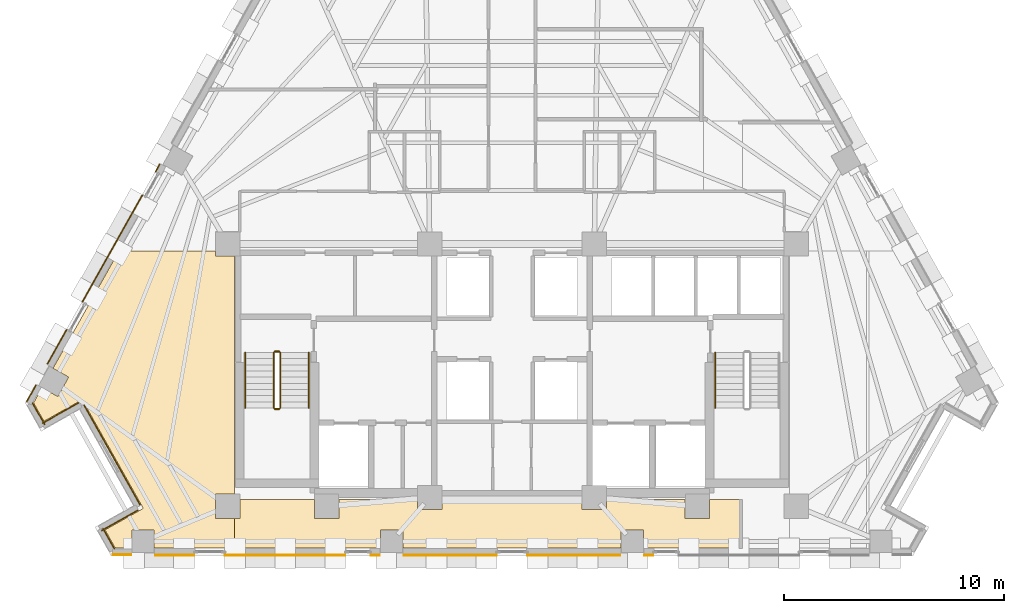
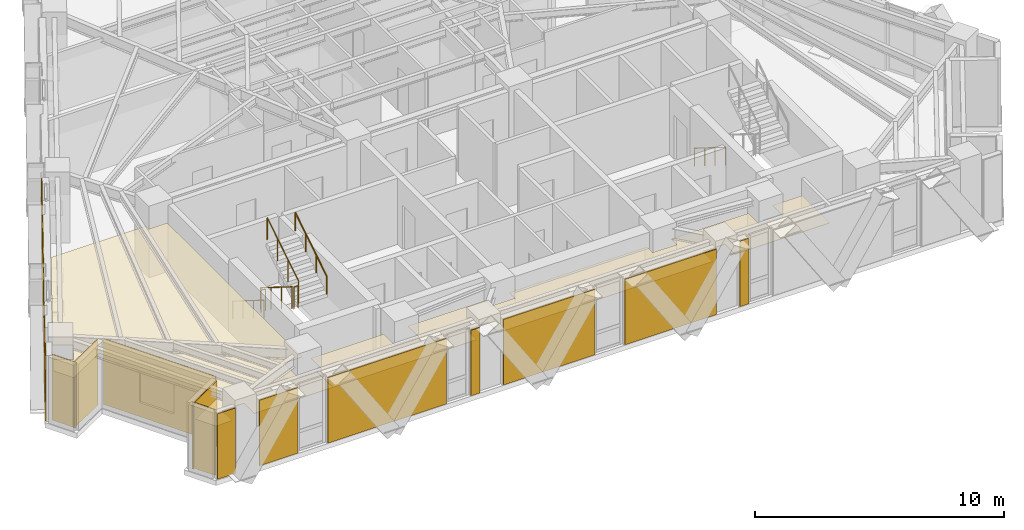
# One storey, part 11 of 14: 18 coverings, 7 railings.
"""IFC4 building model written with IfcOpenShell, lengths in metres."""

from ifc_helpers import new_model, si_unit, direction, frame, origin, origin_2d, place, context, subcontext, project, spatial, polyline, circle, outline, extrude, material, layer, layer_set, type_object, element, save


model = new_model("IFC4")

# Units and contexts
model_context = context("Model", 3, precision=1e-05, world=origin(), true_north=direction((0.0, 1.0)))
body_context = subcontext(model_context, "Body", "Model", "MODEL_VIEW")
ifc_project = project(units=[si_unit("LENGTHUNIT", "METRE"), si_unit("AREAUNIT", "SQUARE_METRE"), si_unit("VOLUMEUNIT", "CUBIC_METRE"), si_unit("PLANEANGLEUNIT", "RADIAN"), si_unit("MASSUNIT", "GRAM", prefix="KILO")], contexts=[model_context])

# Site, building, storey
site_placement = place(None, origin())
site = spatial("IfcSite", under=ifc_project, at=site_placement, CompositionType="ELEMENT")
building_placement = place(site_placement, origin())
building = spatial("IfcBuilding", under=site, at=building_placement, Name="Quenlor Broadcast Tower", CompositionType="ELEMENT")
storey_placement = place(building_placement, frame((0.0, 0.0, 140.5)))
storey = spatial("IfcBuildingStorey", under=building, at=storey_placement, Name="L38", CompositionType="ELEMENT", Elevation=140.5)

# Coverings
ifc_material_1 = material(Name="Acoustic Mineral Fibre Board", Category="other")
ifc_layer_1 = layer(ifc_material_1, 0.02490234375)
ifc_layer_set_1 = layer_set([ifc_layer_1], Name="Acoustic Perforated Mineral Tile Ceiling 25")
covering_type_1 = type_object("IfcCoveringType", Name="Acoustic Perforated Mineral Tile Ceiling 25", PredefinedType="CEILING", material=ifc_layer_set_1)
covering_1_placement = place(storey_placement, frame((0.0, 0.0, 2.375)))
element("IfcCovering", 1, at=covering_1_placement, inside=storey, type_object=covering_type_1, Name="L38 Acoustic Ceiling L38-38-2", PredefinedType="CEILING", context=body_context, shape_type="SweptSolid", body=[
    extrude(outline(polyline([(-21.794921875, -12.0400390625), (-21.406982421875, -11.350341796875), (-20.694091796875, -11.751220703125), (-20.19580078125, -10.86572265625), (-20.90869140625, -10.46484375), (-17.90234375, -5.1201171875), (-13.508056640625, -5.1201171875), (-13.508056640625, -5.35791015625), (-12.64990234375, -5.35791015625), (-12.64990234375, -16.19189453125), (-13.508056640625, -16.19189453125), (-13.508056640625, -17.30810546875), (-12.64990234375, -17.30810546875), (-12.64990234375, -18.659912109375), (-16.30029296875, -18.659912109375), (-16.30029296875, -17.842041015625), (-17.31640625, -17.842041015625), (-17.31640625, -18.659912109375), (-18.071044921875, -18.659912109375), (-18.538818359375, -17.82861328125), (-16.795654296875, -16.847900390625), (-19.580322265625, -11.8974609375), (-21.323486328125, -12.878173828125), (-21.794921875, -12.0400390625)])), origin(), (0.0, 0.0, 1.0), 0.02490234375),
])
covering_2_placement = place(storey_placement, frame((0.0, 0.0, 2.375)))
element("IfcCovering", 2, at=covering_2_placement, inside=storey, type_object=covering_type_1, Name="L38 Acoustic Ceiling L38-38-3", PredefinedType="CEILING", context=body_context, shape_type="SweptSolid", body=[
    extrude(outline(polyline([(-12.39208984375, -17.30810546875), (-12.39208984375, -16.449951171875), (-9.008056640625, -16.449951171875), (-9.008056640625, -17.30810546875), (-7.89208984375, -17.30810546875), (-7.89208984375, -16.449951171875), (-4.30810546875, -16.449951171875), (-4.30810546875, -16.907958984375), (-3.19189453125, -16.907958984375), (-3.19189453125, -16.449951171875), (3.19189453125, -16.449951171875), (3.19189453125, -16.907958984375), (4.30810546875, -16.907958984375), (4.30810546875, -16.449951171875), (7.89208984375, -16.449951171875), (7.89208984375, -17.30810546875), (9.008056640625, -17.30810546875), (9.008056640625, -16.449951171875), (10.38525390625, -16.449951171875), (10.38525390625, -18.659912109375), (5.989013671875, -18.659912109375), (5.989013671875, -17.842041015625), (4.972900390625, -17.842041015625), (4.972900390625, -18.659912109375), (-4.972900390625, -18.659912109375), (-4.972900390625, -17.842041015625), (-5.989013671875, -17.842041015625), (-5.989013671875, -18.659912109375), (-12.64990234375, -18.659912109375), (-12.64990234375, -17.30810546875), (-12.39208984375, -17.30810546875)])), origin(), (0.0, 0.0, 1.0), 0.02490234375),
])
ifc_material_2 = material(Name="Architectural Terracotta Ceramic", Category="masonry")
ifc_layer_2 = layer(ifc_material_2, 0.044921875)
ifc_layer_set_2 = layer_set([ifc_layer_2], Name="Fluted Terracotta Rainscreen Cladding Panel")
covering_type_2 = type_object("IfcCoveringType", Name="Fluted Terracotta Rainscreen Cladding Panel", PredefinedType="CLADDING", material=ifc_layer_set_2)
covering_3_placement = place(storey_placement, frame((0.0, 0.0, 0.02001953125)))
element("IfcCovering", 3, at=covering_3_placement, inside=storey, type_object=covering_type_2, Name="L38 Terracotta Rainscreen Cladding L38-SHD-SS1", PredefinedType="CLADDING", context=body_context, shape_type="SweptSolid", body=[
    extrude(outline(polyline([(-17.343505859375, -18.93701171875), (-18.179931640625, -18.93701171875), (-18.179931640625, -18.98193359375), (-17.343505859375, -18.98193359375), (-17.343505859375, -18.93701171875)])), origin(), (0.0, 0.0, 1.0), 3.2099609375),
])
covering_4_placement = place(storey_placement, frame((0.0, 0.0, 0.02001953125)))
element("IfcCovering", 4, at=covering_4_placement, inside=storey, type_object=covering_type_2, Name="L38 Terracotta Rainscreen Cladding L38-SA-SP3", PredefinedType="CLADDING", context=body_context, shape_type="SweptSolid", body=[
    extrude(outline(polyline([(6.43603515625, -18.95703125), (6.035888671875, -18.95703125), (6.035888671875, -19.001953125), (6.43603515625, -19.001953125), (6.43603515625, -18.95703125)])), origin(), (0.0, 0.0, 1.0), 3.2099609375),
])
covering_5_placement = place(storey_placement, frame((0.0, 0.0, 0.02001953125)))
element("IfcCovering", 5, at=covering_5_placement, inside=storey, type_object=covering_type_2, Name="L38 Terracotta Rainscreen Cladding L38-SC-SP1", PredefinedType="CLADDING", context=body_context, shape_type="SweptSolid", body=[
    extrude(outline(polyline([(-6.035888671875, -18.95703125), (-6.43603515625, -18.95703125), (-6.43603515625, -19.001953125), (-6.035888671875, -19.001953125), (-6.035888671875, -18.95703125)])), origin(), (0.0, 0.0, 1.0), 3.2099609375),
])
covering_6_placement = place(storey_placement, frame((0.0, 0.0, 0.02001953125)))
element("IfcCovering", 6, at=covering_6_placement, inside=storey, type_object=covering_type_2, Name="L38 Terracotta Rainscreen Cladding L38-SC-SP2", PredefinedType="CLADDING", context=body_context, shape_type="SweptSolid", body=[
    extrude(outline(polyline([(-7.5869140625, -18.95703125), (-13.076904296875, -18.95703125), (-13.076904296875, -19.001953125), (-7.5869140625, -19.001953125), (-7.5869140625, -18.95703125)])), origin(), (0.0, 0.0, 1.0), 3.2099609375),
])
covering_7_placement = place(storey_placement, frame((0.0, 0.0, 0.02001953125)))
element("IfcCovering", 7, at=covering_7_placement, inside=storey, type_object=covering_type_2, Name="L38 Terracotta Rainscreen Cladding L38-SC-SP3", PredefinedType="CLADDING", context=body_context, shape_type="SweptSolid", body=[
    extrude(outline(polyline([(-14.47509765625, -18.95703125), (-16.25341796875, -18.95703125), (-16.25341796875, -19.001953125), (-14.47509765625, -19.001953125), (-14.47509765625, -18.95703125)])), origin(), (0.0, 0.0, 1.0), 3.2099609375),
])
covering_8_placement = place(storey_placement, frame((0.0, 0.0, 0.02001953125)))
element("IfcCovering", 8, at=covering_8_placement, inside=storey, type_object=covering_type_2, Name="L38 Terracotta Rainscreen Cladding L38-S-SP1", PredefinedType="CLADDING", context=body_context, shape_type="SweptSolid", body=[
    extrude(outline(polyline([(4.930908203125, -18.95703125), (0.698974609375, -18.95703125), (0.698974609375, -19.001953125), (4.930908203125, -19.001953125), (4.930908203125, -18.95703125)])), origin(), (0.0, 0.0, 1.0), 3.2099609375),
])
covering_9_placement = place(storey_placement, frame((0.0, 0.0, 0.02001953125)))
element("IfcCovering", 9, at=covering_9_placement, inside=storey, type_object=covering_type_2, Name="L38 Terracotta Rainscreen Cladding L38-S-SP2", PredefinedType="CLADDING", context=body_context, shape_type="SweptSolid", body=[
    extrude(outline(polyline([(-0.698974609375, -18.95703125), (-4.930908203125, -18.95703125), (-4.930908203125, -19.001953125), (-0.698974609375, -19.001953125), (-0.698974609375, -18.95703125)])), origin(), (0.0, 0.0, 1.0), 3.2099609375),
])
covering_10_placement = place(storey_placement, frame((0.0, 0.0, 0.02001953125)))
element("IfcCovering", 10, at=covering_10_placement, inside=storey, type_object=covering_type_2, Name="L38 Terracotta Rainscreen Cladding L38-SHD-NWS0", PredefinedType="CLADDING", context=body_context, shape_type="SweptSolid", body=[
    extrude(outline(polyline([(-22.0859375, -11.992431640625), (-21.66162109375, -11.23779296875), (-21.70068359375, -11.2158203125), (-22.125244140625, -11.970458984375), (-22.0859375, -11.992431640625)])), origin(), (0.0, 0.0, 1.0), 3.2099609375),
])
covering_11_placement = place(storey_placement, frame((0.0, 0.0, 0.02001953125)))
element("IfcCovering", 11, at=covering_11_placement, inside=storey, type_object=covering_type_2, Name="L38 Terracotta Rainscreen Cladding L38-NWA-SP1", PredefinedType="CLADDING", context=body_context, shape_type="SweptSolid", body=[
    extrude(outline(polyline([(-21.14453125, -10.278076171875), (-20.26416015625, -8.712646484375), (-20.30322265625, -8.690673828125), (-21.183837890625, -10.256103515625), (-21.14453125, -10.278076171875)])), origin(), (0.0, 0.0, 1.0), 3.2099609375),
])
covering_12_placement = place(storey_placement, frame((0.0, 0.0, 0.02001953125)))
element("IfcCovering", 12, at=covering_12_placement, inside=storey, type_object=covering_type_2, Name="L38 Terracotta Rainscreen Cladding L38-NWA-SP2", PredefinedType="CLADDING", context=body_context, shape_type="SweptSolid", body=[
    extrude(outline(polyline([(-19.55322265625, -7.44921875), (-16.81591796875, -2.582763671875), (-16.855224609375, -2.560791015625), (-19.592529296875, -7.42724609375), (-19.55322265625, -7.44921875)])), origin(), (0.0, 0.0, 1.0), 3.2099609375),
])
covering_13_placement = place(storey_placement, frame((0.0, 0.0, 0.02001953125)))
element("IfcCovering", 13, at=covering_13_placement, inside=storey, type_object=covering_type_2, Name="L38 Terracotta Rainscreen Cladding L38-NWA-SP3", PredefinedType="CLADDING", context=body_context, shape_type="SweptSolid", body=[
    extrude(outline(polyline([(-16.22119140625, -1.525390625), (-16.025146484375, -1.1767578125), (-16.064453125, -1.15478515625), (-16.260498046875, -1.50341796875), (-16.22119140625, -1.525390625)])), origin(), (0.0, 0.0, 1.0), 3.2099609375),
])
covering_14_placement = place(storey_placement, frame((0.0, 0.0, 0.02001953125)))
element("IfcCovering", 14, at=covering_14_placement, inside=storey, type_object=covering_type_2, Name="L38 Terracotta Rainscreen Cladding L38-CNR-12", PredefinedType="CLADDING", context=body_context, shape_type="SweptSolid", body=[
    extrude(outline(polyline([(-21.864501953125, -12.0546875), (-21.309326171875, -13.0419921875), (-21.27001953125, -13.02001953125), (-21.825439453125, -12.03271484375), (-21.864501953125, -12.0546875)])), origin(), (0.0, 0.0, 1.0), 3.2099609375),
])
covering_15_placement = place(storey_placement, frame((0.0, 0.0, 0.02001953125)))
element("IfcCovering", 15, at=covering_15_placement, inside=storey, type_object=covering_type_2, Name="L38 Terracotta Rainscreen Cladding L38-CNR-13", PredefinedType="CLADDING", context=body_context, shape_type="SweptSolid", body=[
    extrude(outline(polyline([(-21.385986328125, -12.9912109375), (-19.72998046875, -12.059814453125), (-19.752197265625, -12.0205078125), (-21.408203125, -12.9521484375), (-21.385986328125, -12.9912109375)])), origin(), (0.0, 0.0, 1.0), 3.2099609375),
])
covering_16_placement = place(storey_placement, frame((0.0, 0.0, 0.02001953125)))
element("IfcCovering", 16, at=covering_16_placement, inside=storey, type_object=covering_type_2, Name="L38 Terracotta Rainscreen Cladding L38-CNR-14", PredefinedType="CLADDING", context=body_context, shape_type="SweptSolid", body=[
    extrude(outline(polyline([(-19.51708984375, -12.148681640625), (-16.9580078125, -16.6982421875), (-16.918701171875, -16.67626953125), (-19.477783203125, -12.126708984375), (-19.51708984375, -12.148681640625)])), origin(), (0.0, 0.0, 1.0), 3.2099609375),
])
covering_17_placement = place(storey_placement, frame((0.0, 0.0, 0.02001953125)))
element("IfcCovering", 17, at=covering_17_placement, inside=storey, type_object=covering_type_2, Name="L38 Terracotta Rainscreen Cladding L38-CNR-15", PredefinedType="CLADDING", context=body_context, shape_type="SweptSolid", body=[
    extrude(outline(polyline([(-17.046875, -16.911376953125), (-18.702880859375, -17.8427734375), (-18.680908203125, -17.882080078125), (-17.02490234375, -16.950439453125), (-17.046875, -16.911376953125)])), origin(), (0.0, 0.0, 1.0), 3.2099609375),
])
covering_18_placement = place(storey_placement, frame((0.0, 0.0, 0.02001953125)))
element("IfcCovering", 18, at=covering_18_placement, inside=storey, type_object=covering_type_2, Name="L38 Terracotta Rainscreen Cladding L38-CNR-16", PredefinedType="CLADDING", context=body_context, shape_type="SweptSolid", body=[
    extrude(outline(polyline([(-18.652099609375, -17.76611328125), (-18.127685546875, -18.697998046875), (-18.088623046875, -18.67578125), (-18.61279296875, -17.743896484375), (-18.652099609375, -17.76611328125)])), origin(), (0.0, 0.0, 1.0), 3.2099609375),
])

# Railings
ifc_material_3 = material(Name="Anodised Aluminium", Category="aluminium")
railing_type_1 = type_object("IfcRailingType", Name="Stainless Aluminium Wall Handrail 900", PredefinedType="HANDRAIL", material=ifc_material_3)
railing_1_placement = place(storey_placement, frame((-12.14990234375, -9.75, 0.175048828125)))
element("IfcRailing", 19, at=railing_1_placement, inside=storey, type_object=railing_type_1, Name="L38 ST-1 stair handrail 1", PredefinedType="HANDRAIL", context=body_context, shape_type="SweptSolid", body=[
    extrude(circle(Radius=0.02392578125, at=origin_2d()), frame((0.0, 0.0, 0.8759765625), z_axis=(0.0, -0.848007534815, 0.529984170421), x_axis=(1.0, 0.0, 0.0)), (0.0, 0.0, 1.0), 2.9716796875),
    extrude(circle(Radius=0.02099609375, at=origin_2d()), origin(), (0.0, 0.0, 1.0), 0.851806640625),
    extrude(circle(Radius=0.02099609375, at=origin_2d()), frame((0.0, -0.840087890625, 0.52490234375)), (0.0, 0.0, 1.0), 0.851806640625),
    extrude(circle(Radius=0.02099609375, at=origin_2d()), frame((0.0, -1.679931640625, 1.050048828125)), (0.0, 0.0, 1.0), 0.851806640625),
    extrude(circle(Radius=0.02099609375, at=origin_2d()), frame((0.0, -2.52001953125, 1.574951171875)), (0.0, 0.0, 1.0), 0.851806640625),
])
railing_2_placement = place(storey_placement, frame((-9.25, -12.27001953125, 1.925048828125)))
element("IfcRailing", 20, at=railing_2_placement, inside=storey, type_object=railing_type_1, Name="L38 ST-1 stair handrail 2", PredefinedType="HANDRAIL", context=body_context, shape_type="SweptSolid", body=[
    extrude(circle(Radius=0.02392578125, at=origin_2d()), frame((0.0, 0.0, 0.8759765625), z_axis=(0.0, 0.848007534815, 0.529984170421), x_axis=(-1.0, 0.0, 0.0)), (0.0, 0.0, 1.0), 2.9716796875),
    extrude(circle(Radius=0.02099609375, at=origin_2d()), origin(), (0.0, 0.0, 1.0), 0.851806640625),
    extrude(circle(Radius=0.02099609375, at=origin_2d()), frame((0.0, 0.840087890625, 0.52490234375)), (0.0, 0.0, 1.0), 0.851806640625),
    extrude(circle(Radius=0.02099609375, at=origin_2d()), frame((0.0, 1.679931640625, 1.050048828125)), (0.0, 0.0, 1.0), 0.851806640625),
    extrude(circle(Radius=0.02099609375, at=origin_2d()), frame((0.0, 2.52001953125, 1.574951171875)), (0.0, 0.0, 1.0), 0.851806640625),
])
railing_3_placement = place(storey_placement, frame((9.25, -9.75, 0.175048828125)))
element("IfcRailing", 21, at=railing_3_placement, inside=storey, type_object=railing_type_1, Name="L38 ST-2 stair handrail 1", PredefinedType="HANDRAIL", context=body_context, shape_type="SweptSolid", body=[
    extrude(circle(Radius=0.02392578125, at=origin_2d()), frame((0.0, 0.0, 0.8759765625), z_axis=(0.0, -0.848007534815, 0.529984170421), x_axis=(1.0, 0.0, 0.0)), (0.0, 0.0, 1.0), 2.9716796875),
    extrude(circle(Radius=0.02099609375, at=origin_2d()), origin(), (0.0, 0.0, 1.0), 0.851806640625),
    extrude(circle(Radius=0.02099609375, at=origin_2d()), frame((0.0, -0.840087890625, 0.52490234375)), (0.0, 0.0, 1.0), 0.851806640625),
    extrude(circle(Radius=0.02099609375, at=origin_2d()), frame((0.0, -1.679931640625, 1.050048828125)), (0.0, 0.0, 1.0), 0.851806640625),
    extrude(circle(Radius=0.02099609375, at=origin_2d()), frame((0.0, -2.52001953125, 1.574951171875)), (0.0, 0.0, 1.0), 0.851806640625),
])
ifc_material_4 = material(Name="Steel S355", Category="steel")
railing_type_2 = type_object("IfcRailingType", Name="Tubular Steel S355 Stair Guardrail 1100", PredefinedType="BALUSTRADE", material=ifc_material_4)
railing_4_placement = place(storey_placement, frame((-10.85009765625, -9.75, 0.175048828125)))
element("IfcRailing", 22, at=railing_4_placement, inside=storey, type_object=railing_type_2, Name="L38 ST-1 stair guard 1", PredefinedType="BALUSTRADE", context=body_context, shape_type="SweptSolid", body=[
    extrude(circle(Radius=0.02392578125, at=origin_2d()), frame((0.0, 0.0, 1.076171875), z_axis=(0.0, -0.848007534815, 0.529984170421), x_axis=(1.0, 0.0, 0.0)), (0.0, 0.0, 1.0), 2.9716796875),
    extrude(circle(Radius=0.02099609375, at=origin_2d()), origin(), (0.0, 0.0, 1.0), 1.052001953125),
    extrude(circle(Radius=0.02099609375, at=origin_2d()), frame((0.0, -0.840087890625, 0.52490234375)), (0.0, 0.0, 1.0), 1.052001953125),
    extrude(circle(Radius=0.02099609375, at=origin_2d()), frame((0.0, -1.679931640625, 1.050048828125)), (0.0, 0.0, 1.0), 1.052001953125),
    extrude(circle(Radius=0.02099609375, at=origin_2d()), frame((0.0, -2.52001953125, 1.574951171875)), (0.0, 0.0, 1.0), 1.052001953125),
])
railing_5_placement = place(storey_placement, frame((-10.800048828125, -12.320068359375, 1.75)))
element("IfcRailing", 23, at=railing_5_placement, inside=storey, type_object=railing_type_2, Name="L38 ST-1 stair guard 2", PredefinedType="BALUSTRADE", context=body_context, shape_type="SweptSolid", body=[
    extrude(circle(Radius=0.02392578125, at=origin_2d()), frame((0.0, 0.0, 1.076171875), z_axis=(1.0, 0.0, 0.0), x_axis=(0.0, 1.0, 0.0)), (0.0, 0.0, 1.0), 0.199951171875),
    extrude(circle(Radius=0.02099609375, at=origin_2d()), origin(), (0.0, 0.0, 1.0), 1.052001953125),
    extrude(circle(Radius=0.02099609375, at=origin_2d()), frame((0.199951171875, 0.0, 0.0)), (0.0, 0.0, 1.0), 1.052001953125),
])
railing_6_placement = place(storey_placement, frame((-10.550048828125, -12.27001953125, 1.925048828125)))
element("IfcRailing", 24, at=railing_6_placement, inside=storey, type_object=railing_type_2, Name="L38 ST-1 stair guard 3", PredefinedType="BALUSTRADE", context=body_context, shape_type="SweptSolid", body=[
    extrude(circle(Radius=0.02392578125, at=origin_2d()), frame((0.0, 0.0, 1.076171875), z_axis=(0.0, 0.848007534815, 0.529984170421), x_axis=(-1.0, 0.0, 0.0)), (0.0, 0.0, 1.0), 2.9716796875),
    extrude(circle(Radius=0.02099609375, at=origin_2d()), origin(), (0.0, 0.0, 1.0), 1.052001953125),
    extrude(circle(Radius=0.02099609375, at=origin_2d()), frame((0.0, 0.840087890625, 0.52490234375)), (0.0, 0.0, 1.0), 1.052001953125),
    extrude(circle(Radius=0.02099609375, at=origin_2d()), frame((0.0, 1.679931640625, 1.050048828125)), (0.0, 0.0, 1.0), 1.052001953125),
    extrude(circle(Radius=0.02099609375, at=origin_2d()), frame((0.0, 2.52001953125, 1.574951171875)), (0.0, 0.0, 1.0), 1.052001953125),
])
railing_7_placement = place(storey_placement, frame((-10.800048828125, -9.699951171875, 0.0)))
element("IfcRailing", 25, at=railing_7_placement, inside=storey, type_object=railing_type_2, Name="L38 ST-1 stair guard 4", PredefinedType="BALUSTRADE", context=body_context, shape_type="SweptSolid", body=[
    extrude(circle(Radius=0.02392578125, at=origin_2d()), frame((0.0, 0.0, 1.076171875), z_axis=(1.0, 0.0, 0.0), x_axis=(0.0, 1.0, 0.0)), (0.0, 0.0, 1.0), 0.199951171875),
    extrude(circle(Radius=0.02099609375, at=origin_2d()), origin(), (0.0, 0.0, 1.0), 1.052001953125),
    extrude(circle(Radius=0.02099609375, at=origin_2d()), frame((0.199951171875, 0.0, 0.0)), (0.0, 0.0, 1.0), 1.052001953125),
])

save(model, "model.ifc")
